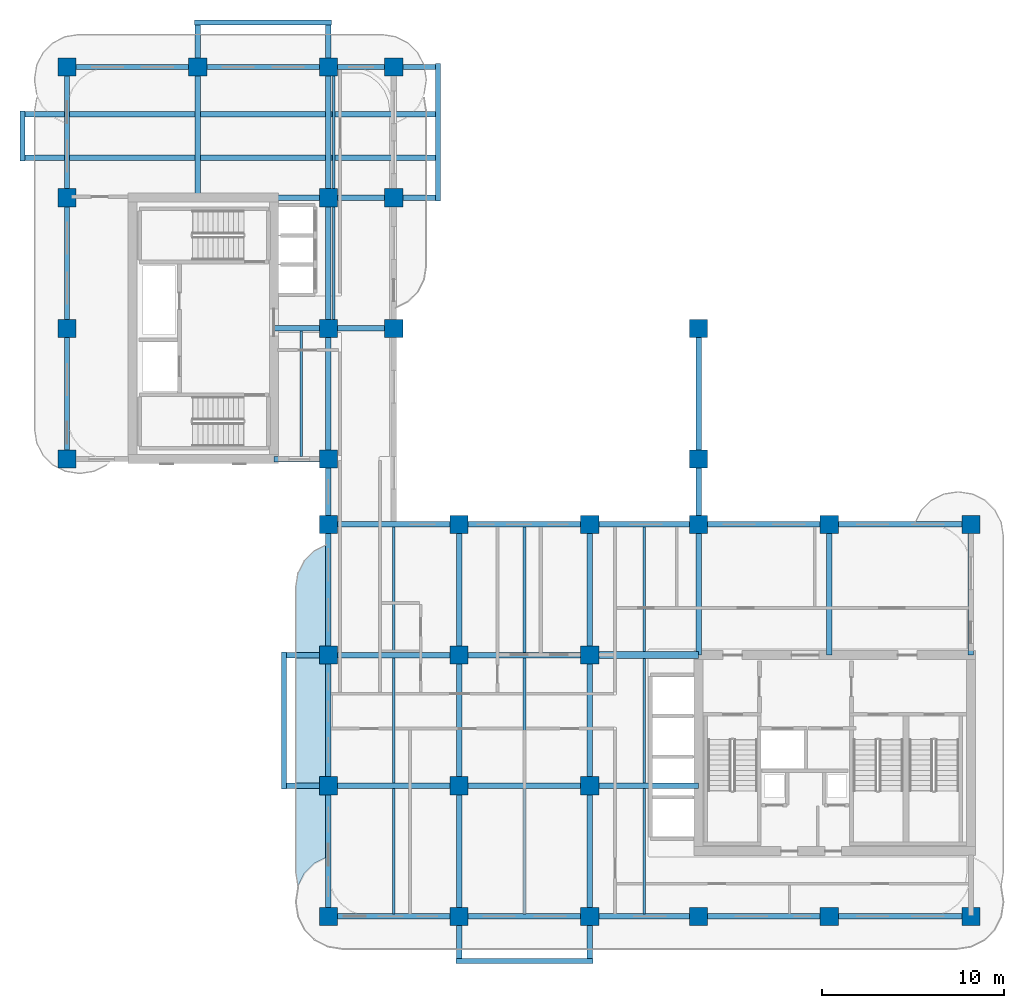
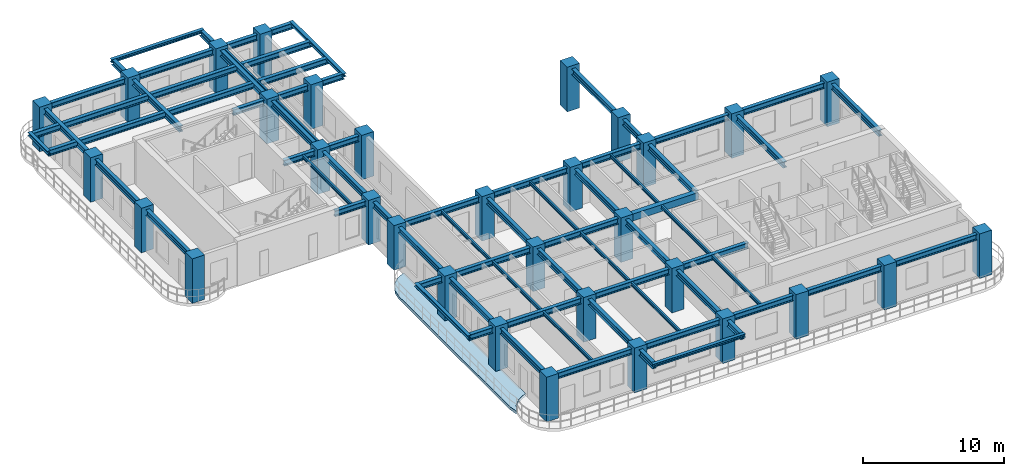
# One storey, part 1 of 13: 62 beams, 32 columns, 1 slab.
"""IFC4 building model written with IfcOpenShell, lengths in metres."""

from ifc_helpers import new_model, si_unit, derived_unit, direction, frame, origin, origin_2d, place, context, subcontext, project, spatial, polyline, rectangle, i_section, outline, extrude, source, transform, mapped, material, layer, layer_set, material_profile, profile_set, type_object, type_shapes, element, save


model = new_model("IFC4")

# Units and contexts
model_context = context("Model", 3, precision=1e-05, world=origin(), true_north=direction((0.0, 1.0)))
body_context = subcontext(model_context, "Body", "Model", "MODEL_VIEW")
ifc_project = project(units=[si_unit("LENGTHUNIT", "METRE"), si_unit("AREAUNIT", "SQUARE_METRE"), si_unit("VOLUMEUNIT", "CUBIC_METRE"), si_unit("PLANEANGLEUNIT", "RADIAN"), si_unit("MASSUNIT", "GRAM", prefix="KILO"), si_unit("THERMODYNAMICTEMPERATUREUNIT", "KELVIN"), si_unit("POWERUNIT", "WATT"), derived_unit("THERMALTRANSMITTANCEUNIT", [(si_unit("POWERUNIT", "WATT"), 1), (si_unit("AREAUNIT", "SQUARE_METRE"), -1), (si_unit("THERMODYNAMICTEMPERATUREUNIT", "KELVIN"), -1)])], contexts=[model_context])

# Site, building, storey
site_placement = place(None, origin())
site = spatial("IfcSite", under=ifc_project, at=site_placement, CompositionType="ELEMENT")
building_placement = place(site_placement, origin())
building = spatial("IfcBuilding", under=site, at=building_placement, Name="Zahravan Archway Hotel and Residences", CompositionType="ELEMENT")
storey_placement = place(building_placement, frame((0.0, 0.0, 181.10009765625)))
storey = spatial("IfcBuildingStorey", under=building, at=storey_placement, Name="L45", CompositionType="ELEMENT", Elevation=181.10009765625)

# Columns
ifc_material_1 = material(Name="Concrete C60/75", Category="concrete")
ifc_material_profile_1 = material_profile(ifc_material_1, rectangle(XDim=1.0, YDim=1.0, at=origin_2d()), Name="RC-COL-1000x1000", Category="concrete")
ifc_profile_set_1 = profile_set([ifc_material_profile_1], Name="Concrete C60/75")
column_type = type_object("IfcColumnType", Name="COL-RC-1000", PredefinedType="COLUMN", material=ifc_profile_set_1)
shared_shape_1 = source(origin(), body_context, "Body", "SweptSolid", [
    extrude(rectangle(XDim=1.0, YDim=1.0, at=origin_2d()), origin(), (0.0, 0.0, 1.0), 3.849853515625),
])
for number, where, z_axis, x_axis, name in (
    (1, (0.0, 25.199951171875, 0.0), (0.0, 0.0, 1.0), (1.0, 0.0, 0.0), "L45 Column 1-E"),
    (2, (0.0, 32.39990234375, 0.0), (0.0, 0.0, 1.0), (1.0, 0.0, 0.0), "L45 Column 1-F"),
    (3, (0.0, 39.60009765625, 0.0), (0.0, 0.0, 1.0), (1.0, 0.0, 0.0), "L45 Column 1-G"),
    (4, (0.0, 46.800048828125, 0.0), (0.0, 0.0, 1.0), (1.0, 0.0, 0.0), "L45 Column 1-H"),
    (5, (7.199951171875, 46.800048828125, 0.0), (0.0, 0.0, 1.0), (1.0, 0.0, 0.0), "L45 Column 2-H"),
    (6, (14.39990234375, 0.0, 0.0), (0.0, 0.0, 1.0), (1.0, 0.0, 0.0), "L45 Column 3-A"),
    (7, (14.39990234375, 7.199951171875, 0.0), (0.0, 0.0, 1.0), (1.0, 0.0, 0.0), "L45 Column 3-B"),
    (8, (14.39990234375, 14.39990234375, 0.0), (0.0, 0.0, 1.0), (1.0, 0.0, 0.0), "L45 Column 3-C"),
    (9, (14.39990234375, 21.60009765625, 0.0), (0.0, 0.0, 1.0), (1.0, 0.0, 0.0), "L45 Column 3-D"),
    (10, (14.39990234375, 25.199951171875, 0.0), (0.0, 0.0, 1.0), (1.0, 0.0, 0.0), "L45 Column 3-E"),
    (11, (14.39990234375, 32.39990234375, 0.0), (0.0, 0.0, 1.0), (1.0, 0.0, 0.0), "L45 Column 3-F"),
    (12, (14.39990234375, 39.60009765625, 0.0), (0.0, 0.0, 1.0), (1.0, 0.0, 0.0), "L45 Column 3-G"),
    (13, (14.39990234375, 46.800048828125, 0.0), (0.0, 0.0, 1.0), (1.0, 0.0, 0.0), "L45 Column 3-H"),
    (14, (21.60009765625, 0.0, 0.0), (0.0, 0.0, 1.0), (1.0, 0.0, 0.0), "L45 Column 4-A"),
    (15, (21.60009765625, 7.199951171875, 0.0), (0.0, 0.0, 1.0), (1.0, 0.0, 0.0), "L45 Column 4-B"),
    (16, (21.60009765625, 14.39990234375, 0.0), (0.0, 0.0, 1.0), (1.0, 0.0, 0.0), "L45 Column 4-C"),
    (17, (21.60009765625, 21.60009765625, 0.0), (0.0, 0.0, 1.0), (1.0, 0.0, 0.0), "L45 Column 4-D"),
    (18, (28.800048828125, 0.0, 0.0), (0.0, 0.0, 1.0), (1.0, 0.0, 0.0), "L45 Column 5-A"),
    (19, (28.800048828125, 7.199951171875, 0.0), (0.0, 0.0, 1.0), (1.0, 0.0, 0.0), "L45 Column 5-B"),
    (20, (28.800048828125, 14.39990234375, 0.0), (0.0, 0.0, 1.0), (1.0, 0.0, 0.0), "L45 Column 5-C"),
    (21, (28.800048828125, 21.60009765625, 0.0), (0.0, 0.0, 1.0), (1.0, 0.0, 0.0), "L45 Column 5-D"),
    (22, (34.800048828125, 0.0, 0.0), (0.0, 0.0, 1.0), (1.0, 0.0, 0.0), "L45 Column 6-A"),
    (23, (34.800048828125, 21.60009765625, 0.0), (0.0, 0.0, 1.0), (1.0, 0.0, 0.0), "L45 Column 6-D"),
    (24, (42.0, 0.0, 0.0), (0.0, 0.0, 1.0), (1.0, 0.0, 0.0), "L45 Column 7-A"),
    (25, (42.0, 21.60009765625, 0.0), (0.0, 0.0, 1.0), (1.0, 0.0, 0.0), "L45 Column 7-D"),
    (26, (49.800048828125, 0.0, 0.0), (0.0, 0.0, 1.0), (1.0, 0.0, 0.0), "L45 Column 8-A"),
    (27, (49.800048828125, 21.60009765625, 0.0), (0.0, 0.0, 1.0), (1.0, 0.0, 0.0), "L45 Column 8-D"),
    (28, (18.0, 32.39990234375, 0.0), (0.0, 0.0, 1.0), (1.0, 0.0, 0.0), "L45 Column 3B-F"),
    (29, (18.0, 39.60009765625, 0.0), (0.0, 0.0, 1.0), (1.0, 0.0, 0.0), "L45 Column 3B-G"),
    (30, (18.0, 46.800048828125, 0.0), (0.0, 0.0, 1.0), (1.0, 0.0, 0.0), "L45 Column 3B-H"),
    (31, (34.800048828125, 25.199951171875, 0.0), (0.0, 0.0, 1.0), (1.0, 0.0, 0.0), "L45 Column 6-E"),
    (32, (34.800048828125, 32.39990234375, 0.0), (0.0, 0.0, 1.0), (1.0, 0.0, 0.0), "L45 Column 6-F"),
):
    element("IfcColumn", number, at=place(storey_placement, frame(where, z_axis=z_axis, x_axis=x_axis)), inside=storey, type_object=column_type, Name=name, PredefinedType="COLUMN", context=body_context, shape_type="MappedRepresentation", body=[
        mapped(shared_shape_1, transform((0.0, 0.0, 0.0), scale=1.0)),
    ])

# Beams
ifc_material_2 = material(Name="Structural Steel S355JR", Category="steel")
ifc_material_profile_2 = material_profile(ifc_material_2, i_section(OverallWidth=0.280029296875, OverallDepth=0.280029296875, WebThickness=0.010498046875, FlangeThickness=0.01806640625, FilletRadius=0.02392578125, at=origin_2d()), Name="HEB 280", Category="steel")
ifc_profile_set_2 = profile_set([ifc_material_profile_2], Name="Structural Steel S355JR")
beam_type_1 = type_object("IfcBeamType", Name="BM-SPN-HEB280", PredefinedType="SPANDREL", material=ifc_profile_set_2)
shared_shape_2 = source(origin(), body_context, "Body", "SweptSolid", [
    extrude(i_section(OverallWidth=0.280029296875, OverallDepth=0.280029296875, WebThickness=0.010498046875, FlangeThickness=0.01806640625, FilletRadius=0.02392578125, at=origin_2d()), origin(), (0.0, 0.0, 1.0), 7.56005859375),
])
type_shapes(beam_type_1, [shared_shape_2])
for number, where, z_axis, x_axis, name in (
    (33, (11.949951171875, 7.02001953125, 3.4599609375), (0.0, 1.0, 0.0), (-1.0, 0.0, 0.0), "L46 WA Balcony Edge Spandrel"),
    (34, (20.449951171875, 39.419921875, 3.4599609375), (0.0, 1.0, 0.0), (-1.0, 0.0, 0.0), "L46 EB Balcony Edge Spandrel"),
    (35, (21.419921875, -2.449951171875, 3.4599609375), (1.0, 0.0, 0.0), (0.0, 1.0, 0.0), "L46 SA Balcony Edge Spandrel"),
    (36, (7.02001953125, 49.25, 3.4599609375), (1.0, 0.0, 0.0), (0.0, 1.0, 0.0), "L46 NB Balcony Edge Spandrel"),
):
    element("IfcBeam", number, at=place(storey_placement, frame(where, z_axis=z_axis, x_axis=x_axis)), inside=storey, type_object=beam_type_1, Name=name, PredefinedType="SPANDREL", context=body_context, shape_type="MappedRepresentation", body=[
        mapped(shared_shape_2, transform((0.0, 0.0, 0.0), scale=1.0)),
    ])
shared_shape_3 = source(origin(), body_context, "Body", "SweptSolid", [
    extrude(i_section(OverallWidth=0.280029296875, OverallDepth=0.280029296875, WebThickness=0.010498046875, FlangeThickness=0.01806640625, FilletRadius=0.02392578125, at=origin_2d()), origin(), (0.0, 0.0, 1.0), 2.759765625),
])
beam_1_placement = place(storey_placement, frame((-2.449951171875, 41.6201171875, 3.4599609375), z_axis=(0.0, 1.0, 0.0), x_axis=(-1.0, 0.0, 0.0)))
element("IfcBeam", 37, at=beam_1_placement, inside=storey, type_object=beam_type_1, Name="L46 WB Balcony Edge Spandrel", PredefinedType="SPANDREL", context=body_context, shape_type="MappedRepresentation", body=[
    mapped(shared_shape_3, transform((0.0, 0.0, 0.0), scale=1.0)),
])
ifc_material_profile_3 = material_profile(ifc_material_1, rectangle(XDim=0.39990234375, YDim=0.60009765625, at=origin_2d()), Name="RC-LNT-400x600", Category="concrete")
ifc_profile_set_3 = profile_set([ifc_material_profile_3], Name="Concrete C60/75")
beam_type_2 = type_object("IfcBeamType", Name="LNT-RC-400x600", PredefinedType="LINTEL", material=ifc_profile_set_3)
shared_shape_4 = source(origin(), body_context, "Body", "SweptSolid", [
    extrude(rectangle(XDim=0.39990234375, YDim=0.60009765625, at=origin_2d()), origin(), (0.0, 0.0, 1.0), 6.0),
])
type_shapes(beam_type_2, [shared_shape_4])
beam_2_placement = place(storey_placement, frame((28.800048828125, 14.39990234375, 3.2998046875), z_axis=(1.0, 0.0, 0.0), x_axis=(0.0, 1.0, 0.0)))
element("IfcBeam", 38, at=beam_2_placement, inside=storey, type_object=beam_type_2, Name="L45 Core A Coupling Lintel Beam", PredefinedType="LINTEL", context=body_context, shape_type="MappedRepresentation", body=[
    mapped(shared_shape_4, transform((0.0, 0.0, 0.0), scale=1.0)),
])
ifc_material_profile_4 = material_profile(ifc_material_2, i_section(OverallWidth=0.300048828125, OverallDepth=0.5, WebThickness=0.014404296875, FlangeThickness=0.028076171875, FilletRadius=0.027099609375, at=origin_2d()), Name="HEB 500", Category="steel")
ifc_profile_set_4 = profile_set([ifc_material_profile_4], Name="Structural Steel S355JR")
beam_type_3 = type_object("IfcBeamType", Name="BM-PRI-HEB500", PredefinedType="BEAM", material=ifc_profile_set_4)
shared_shape_5 = source(origin(), body_context, "Body", "SweptSolid", [
    extrude(i_section(OverallWidth=0.300048828125, OverallDepth=0.5, WebThickness=0.014404296875, FlangeThickness=0.028076171875, FilletRadius=0.027099609375, at=origin_2d()), origin(), (0.0, 0.0, 1.0), 7.2001953125),
])
type_shapes(beam_type_3, [shared_shape_5])
for number, where, z_axis, x_axis, name in (
    (39, (14.39990234375, 0.0, 3.349853515625), (1.0, 0.0, 0.0), (0.0, 1.0, 0.0), "L45 Primary Girder EW-01"),
    (40, (14.39990234375, 21.60009765625, 3.349853515625), (1.0, 0.0, 0.0), (0.0, 1.0, 0.0), "L45 Primary Girder EW-11"),
    (41, (0.0, 32.39990234375, 3.349853515625), (0.0, 1.0, 0.0), (-1.0, 0.0, 0.0), "L45 Primary Girder NS-24"),
    (42, (14.39990234375, 14.39990234375, 3.349853515625), (0.0, 1.0, 0.0), (-1.0, 0.0, 0.0), "L45 Primary Girder NS-29"),
    (43, (14.39990234375, 32.39990234375, 3.349853515625), (0.0, 1.0, 0.0), (-1.0, 0.0, 0.0), "L45 Primary Girder NS-32"),
    (44, (21.60009765625, 14.39990234375, 3.349853515625), (0.0, 1.0, 0.0), (-1.0, 0.0, 0.0), "L45 Primary Girder NS-36"),
    (45, (28.800048828125, 14.39990234375, 3.349853515625), (0.0, 1.0, 0.0), (-1.0, 0.0, 0.0), "L45 Primary Girder NS-39"),
    (46, (34.800048828125, 14.39990234375, 3.349853515625), (0.0, 1.0, 0.0), (-1.0, 0.0, 0.0), "L45 Primary Girder NS-40"),
    (47, (42.0, 14.39990234375, 3.349853515625), (0.0, 1.0, 0.0), (-1.0, 0.0, 0.0), "L45 Primary Girder NS-43"),
    (48, (49.800048828125, 14.39990234375, 3.349853515625), (0.0, 1.0, 0.0), (-1.0, 0.0, 0.0), "L45 Primary Girder NS-44"),
):
    element("IfcBeam", number, at=place(storey_placement, frame(where, z_axis=z_axis, x_axis=x_axis)), inside=storey, type_object=beam_type_3, Name=name, PredefinedType="BEAM", context=body_context, shape_type="MappedRepresentation", body=[
        mapped(shared_shape_5, transform((0.0, 0.0, 0.0), scale=1.0)),
    ])
shared_shape_6 = source(origin(), body_context, "Body", "SweptSolid", [
    extrude(i_section(OverallWidth=0.300048828125, OverallDepth=0.5, WebThickness=0.014404296875, FlangeThickness=0.028076171875, FilletRadius=0.027099609375, at=origin_2d()), origin(), (0.0, 0.0, 1.0), 7.199951171875),
])
for number, where, z_axis, x_axis, name in (
    (49, (21.60009765625, 0.0, 3.349853515625), (1.0, 0.0, 0.0), (0.0, 1.0, 0.0), "L45 Primary Girder EW-02"),
    (50, (34.800048828125, 0.0, 3.349853515625), (1.0, 0.0, 0.0), (0.0, 1.0, 0.0), "L45 Primary Girder EW-04"),
    (51, (21.60009765625, 7.199951171875, 3.349853515625), (1.0, 0.0, 0.0), (0.0, 1.0, 0.0), "L45 Primary Girder EW-07"),
    (52, (21.60009765625, 14.39990234375, 3.349853515625), (1.0, 0.0, 0.0), (0.0, 1.0, 0.0), "L45 Primary Girder EW-10"),
    (53, (21.60009765625, 21.60009765625, 3.349853515625), (1.0, 0.0, 0.0), (0.0, 1.0, 0.0), "L45 Primary Girder EW-12"),
    (54, (34.800048828125, 21.60009765625, 3.349853515625), (1.0, 0.0, 0.0), (0.0, 1.0, 0.0), "L45 Primary Girder EW-14"),
    (55, (0.0, 46.800048828125, 3.349853515625), (1.0, 0.0, 0.0), (0.0, 1.0, 0.0), "L45 Primary Girder EW-19"),
    (56, (0.0, 25.199951171875, 3.349853515625), (0.0, 1.0, 0.0), (-1.0, 0.0, 0.0), "L45 Primary Girder NS-23"),
    (57, (0.0, 39.60009765625, 3.349853515625), (0.0, 1.0, 0.0), (-1.0, 0.0, 0.0), "L45 Primary Girder NS-25"),
    (58, (14.39990234375, 0.0, 3.349853515625), (0.0, 1.0, 0.0), (-1.0, 0.0, 0.0), "L45 Primary Girder NS-27"),
    (59, (14.39990234375, 7.199951171875, 3.349853515625), (0.0, 1.0, 0.0), (-1.0, 0.0, 0.0), "L45 Primary Girder NS-28"),
    (60, (14.39990234375, 25.199951171875, 3.349853515625), (0.0, 1.0, 0.0), (-1.0, 0.0, 0.0), "L45 Primary Girder NS-31"),
    (61, (21.60009765625, 7.199951171875, 3.349853515625), (0.0, 1.0, 0.0), (-1.0, 0.0, 0.0), "L45 Primary Girder NS-35"),
    (62, (28.800048828125, 7.199951171875, 3.349853515625), (0.0, 1.0, 0.0), (-1.0, 0.0, 0.0), "L45 Primary Girder NS-38"),
    (63, (34.800048828125, 25.199951171875, 3.349853515625), (0.0, 1.0, 0.0), (-1.0, 0.0, 0.0), "L45 Primary Girder NS-42"),
):
    element("IfcBeam", number, at=place(storey_placement, frame(where, z_axis=z_axis, x_axis=x_axis)), inside=storey, type_object=beam_type_3, Name=name, PredefinedType="BEAM", context=body_context, shape_type="MappedRepresentation", body=[
        mapped(shared_shape_6, transform((0.0, 0.0, 0.0), scale=1.0)),
    ])
shared_shape_7 = source(origin(), body_context, "Body", "SweptSolid", [
    extrude(i_section(OverallWidth=0.300048828125, OverallDepth=0.5, WebThickness=0.014404296875, FlangeThickness=0.028076171875, FilletRadius=0.027099609375, at=origin_2d()), origin(), (0.0, 0.0, 1.0), 6.0),
])
for number, where, z_axis, x_axis, name in (
    (64, (28.800048828125, 0.0, 3.349853515625), (1.0, 0.0, 0.0), (0.0, 1.0, 0.0), "L45 Primary Girder EW-03"),
    (65, (28.800048828125, 7.199951171875, 3.349853515625), (1.0, 0.0, 0.0), (0.0, 1.0, 0.0), "L45 Primary Girder EW-08"),
    (66, (28.800048828125, 21.60009765625, 3.349853515625), (1.0, 0.0, 0.0), (0.0, 1.0, 0.0), "L45 Primary Girder EW-13"),
):
    element("IfcBeam", number, at=place(storey_placement, frame(where, z_axis=z_axis, x_axis=x_axis)), inside=storey, type_object=beam_type_3, Name=name, PredefinedType="BEAM", context=body_context, shape_type="MappedRepresentation", body=[
        mapped(shared_shape_7, transform((0.0, 0.0, 0.0), scale=1.0)),
    ])
shared_shape_8 = source(origin(), body_context, "Body", "SweptSolid", [
    extrude(i_section(OverallWidth=0.300048828125, OverallDepth=0.5, WebThickness=0.014404296875, FlangeThickness=0.028076171875, FilletRadius=0.027099609375, at=origin_2d()), origin(), (0.0, 0.0, 1.0), 7.800048828125),
])
for number, where, z_axis, x_axis, name in (
    (67, (42.0, 0.0, 3.349853515625), (1.0, 0.0, 0.0), (0.0, 1.0, 0.0), "L45 Primary Girder EW-05"),
    (68, (42.0, 21.60009765625, 3.349853515625), (1.0, 0.0, 0.0), (0.0, 1.0, 0.0), "L45 Primary Girder EW-15"),
):
    element("IfcBeam", number, at=place(storey_placement, frame(where, z_axis=z_axis, x_axis=x_axis)), inside=storey, type_object=beam_type_3, Name=name, PredefinedType="BEAM", context=body_context, shape_type="MappedRepresentation", body=[
        mapped(shared_shape_8, transform((0.0, 0.0, 0.0), scale=1.0)),
    ])
shared_shape_9 = source(origin(), body_context, "Body", "SweptSolid", [
    extrude(i_section(OverallWidth=0.300048828125, OverallDepth=0.5, WebThickness=0.014404296875, FlangeThickness=0.028076171875, FilletRadius=0.027099609375, at=origin_2d()), origin(), (0.0, 0.0, 1.0), 9.650146484375),
])
for number, where, z_axis, x_axis, name in (
    (69, (11.949951171875, 7.199951171875, 3.349853515625), (1.0, 0.0, 0.0), (0.0, 1.0, 0.0), "L45 Primary Girder EW-06"),
    (70, (11.949951171875, 14.39990234375, 3.349853515625), (1.0, 0.0, 0.0), (0.0, 1.0, 0.0), "L45 Primary Girder EW-09"),
):
    element("IfcBeam", number, at=place(storey_placement, frame(where, z_axis=z_axis, x_axis=x_axis)), inside=storey, type_object=beam_type_3, Name=name, PredefinedType="BEAM", context=body_context, shape_type="MappedRepresentation", body=[
        mapped(shared_shape_9, transform((0.0, 0.0, 0.0), scale=1.0)),
    ])
shared_shape_10 = source(origin(), body_context, "Body", "SweptSolid", [
    extrude(i_section(OverallWidth=0.300048828125, OverallDepth=0.5, WebThickness=0.014404296875, FlangeThickness=0.028076171875, FilletRadius=0.027099609375, at=origin_2d()), origin(), (0.0, 0.0, 1.0), 3.0),
])
beam_3_placement = place(storey_placement, frame((11.39990234375, 25.199951171875, 3.349853515625), z_axis=(1.0, 0.0, 0.0), x_axis=(0.0, 1.0, 0.0)))
element("IfcBeam", 71, at=beam_3_placement, inside=storey, type_object=beam_type_3, Name="L45 Primary Girder EW-16", PredefinedType="BEAM", context=body_context, shape_type="MappedRepresentation", body=[
    mapped(shared_shape_10, transform((0.0, 0.0, 0.0), scale=1.0)),
])
shared_shape_11 = source(origin(), body_context, "Body", "SweptSolid", [
    extrude(i_section(OverallWidth=0.300048828125, OverallDepth=0.5, WebThickness=0.014404296875, FlangeThickness=0.028076171875, FilletRadius=0.027099609375, at=origin_2d()), origin(), (0.0, 0.0, 1.0), 6.60009765625),
])
beam_4_placement = place(storey_placement, frame((11.39990234375, 32.39990234375, 3.349853515625), z_axis=(1.0, 0.0, 0.0), x_axis=(0.0, 1.0, 0.0)))
element("IfcBeam", 72, at=beam_4_placement, inside=storey, type_object=beam_type_3, Name="L45 Primary Girder EW-17", PredefinedType="BEAM", context=body_context, shape_type="MappedRepresentation", body=[
    mapped(shared_shape_11, transform((0.0, 0.0, 0.0), scale=1.0)),
])
shared_shape_12 = source(origin(), body_context, "Body", "SweptSolid", [
    extrude(i_section(OverallWidth=0.300048828125, OverallDepth=0.5, WebThickness=0.014404296875, FlangeThickness=0.028076171875, FilletRadius=0.027099609375, at=origin_2d()), origin(), (0.0, 0.0, 1.0), 9.050048828125),
])
beam_5_placement = place(storey_placement, frame((11.39990234375, 39.60009765625, 3.349853515625), z_axis=(1.0, 0.0, 0.0), x_axis=(0.0, 1.0, 0.0)))
element("IfcBeam", 73, at=beam_5_placement, inside=storey, type_object=beam_type_3, Name="L45 Primary Girder EW-18", PredefinedType="BEAM", context=body_context, shape_type="MappedRepresentation", body=[
    mapped(shared_shape_12, transform((0.0, 0.0, 0.0), scale=1.0)),
])
shared_shape_13 = source(origin(), body_context, "Body", "SweptSolid", [
    extrude(i_section(OverallWidth=0.300048828125, OverallDepth=0.5, WebThickness=0.014404296875, FlangeThickness=0.028076171875, FilletRadius=0.027099609375, at=origin_2d()), origin(), (0.0, 0.0, 1.0), 13.25),
])
beam_6_placement = place(storey_placement, frame((7.199951171875, 46.800048828125, 3.349853515625), z_axis=(1.0, 0.0, 0.0), x_axis=(0.0, 1.0, 0.0)))
element("IfcBeam", 74, at=beam_6_placement, inside=storey, type_object=beam_type_3, Name="L45 Primary Girder EW-20", PredefinedType="BEAM", context=body_context, shape_type="MappedRepresentation", body=[
    mapped(shared_shape_13, transform((0.0, 0.0, 0.0), scale=1.0)),
])
shared_shape_14 = source(origin(), body_context, "Body", "SweptSolid", [
    extrude(i_section(OverallWidth=0.300048828125, OverallDepth=0.5, WebThickness=0.014404296875, FlangeThickness=0.028076171875, FilletRadius=0.027099609375, at=origin_2d()), origin(), (0.0, 0.0, 1.0), 22.89990234375),
])
for number, where, z_axis, x_axis, name in (
    (75, (-2.449951171875, 41.800048828125, 3.349853515625), (1.0, 0.0, 0.0), (0.0, 1.0, 0.0), "L45 Primary Girder EW-21"),
    (76, (-2.449951171875, 44.199951171875, 3.349853515625), (1.0, 0.0, 0.0), (0.0, 1.0, 0.0), "L45 Primary Girder EW-22"),
):
    element("IfcBeam", number, at=place(storey_placement, frame(where, z_axis=z_axis, x_axis=x_axis)), inside=storey, type_object=beam_type_3, Name=name, PredefinedType="BEAM", context=body_context, shape_type="MappedRepresentation", body=[
        mapped(shared_shape_14, transform((0.0, 0.0, 0.0), scale=1.0)),
    ])
shared_shape_15 = source(origin(), body_context, "Body", "SweptSolid", [
    extrude(i_section(OverallWidth=0.300048828125, OverallDepth=0.5, WebThickness=0.014404296875, FlangeThickness=0.028076171875, FilletRadius=0.027099609375, at=origin_2d()), origin(), (0.0, 0.0, 1.0), 9.64990234375),
])
for number, where, z_axis, x_axis, name in (
    (77, (7.199951171875, 39.60009765625, 3.349853515625), (0.0, 1.0, 0.0), (-1.0, 0.0, 0.0), "L45 Primary Girder NS-26"),
    (78, (14.39990234375, 39.60009765625, 3.349853515625), (0.0, 1.0, 0.0), (-1.0, 0.0, 0.0), "L45 Primary Girder NS-33"),
    (79, (21.60009765625, -2.449951171875, 3.349853515625), (0.0, 1.0, 0.0), (-1.0, 0.0, 0.0), "L45 Primary Girder NS-34"),
    (80, (28.800048828125, -2.449951171875, 3.349853515625), (0.0, 1.0, 0.0), (-1.0, 0.0, 0.0), "L45 Primary Girder NS-37"),
):
    element("IfcBeam", number, at=place(storey_placement, frame(where, z_axis=z_axis, x_axis=x_axis)), inside=storey, type_object=beam_type_3, Name=name, PredefinedType="BEAM", context=body_context, shape_type="MappedRepresentation", body=[
        mapped(shared_shape_15, transform((0.0, 0.0, 0.0), scale=1.0)),
    ])
shared_shape_16 = source(origin(), body_context, "Body", "SweptSolid", [
    extrude(i_section(OverallWidth=0.300048828125, OverallDepth=0.5, WebThickness=0.014404296875, FlangeThickness=0.028076171875, FilletRadius=0.027099609375, at=origin_2d()), origin(), (0.0, 0.0, 1.0), 3.599853515625),
])
for number, where, z_axis, x_axis, name in (
    (81, (14.39990234375, 21.60009765625, 3.349853515625), (0.0, 1.0, 0.0), (-1.0, 0.0, 0.0), "L45 Primary Girder NS-30"),
    (82, (34.800048828125, 21.60009765625, 3.349853515625), (0.0, 1.0, 0.0), (-1.0, 0.0, 0.0), "L45 Primary Girder NS-41"),
):
    element("IfcBeam", number, at=place(storey_placement, frame(where, z_axis=z_axis, x_axis=x_axis)), inside=storey, type_object=beam_type_3, Name=name, PredefinedType="BEAM", context=body_context, shape_type="MappedRepresentation", body=[
        mapped(shared_shape_16, transform((0.0, 0.0, 0.0), scale=1.0)),
    ])
ifc_material_profile_5 = material_profile(ifc_material_2, i_section(OverallWidth=0.14990234375, OverallDepth=0.300048828125, WebThickness=0.007080078125, FlangeThickness=0.0107421875, FilletRadius=0.014892578125, at=origin_2d()), Name="IPE 300", Category="steel")
ifc_profile_set_5 = profile_set([ifc_material_profile_5], Name="Structural Steel S355JR")
beam_type_4 = type_object("IfcBeamType", Name="BM-JST-IPE300", PredefinedType="JOIST", material=ifc_profile_set_5)
shared_shape_17 = source(origin(), body_context, "Body", "SweptSolid", [
    extrude(i_section(OverallWidth=0.14990234375, OverallDepth=0.300048828125, WebThickness=0.007080078125, FlangeThickness=0.0107421875, FilletRadius=0.014892578125, at=origin_2d()), origin(), (0.0, 0.0, 1.0), 6.904052734375),
])
type_shapes(beam_type_4, [shared_shape_17])
for number, where, z_axis, x_axis, name in (
    (83, (18.0, 0.14794921875, 3.449951171875), (0.0, 1.0, 0.0), (-1.0, 0.0, 0.0), "L45 Composite Floor Joist 01"),
    (84, (25.199951171875, 0.14794921875, 3.449951171875), (0.0, 1.0, 0.0), (-1.0, 0.0, 0.0), "L45 Composite Floor Joist 02"),
    (85, (31.800048828125, 0.14794921875, 3.449951171875), (0.0, 1.0, 0.0), (-1.0, 0.0, 0.0), "L45 Composite Floor Joist 03"),
    (86, (18.0, 7.347900390625, 3.449951171875), (0.0, 1.0, 0.0), (-1.0, 0.0, 0.0), "L45 Composite Floor Joist 04"),
    (87, (25.199951171875, 7.347900390625, 3.449951171875), (0.0, 1.0, 0.0), (-1.0, 0.0, 0.0), "L45 Composite Floor Joist 05"),
    (88, (12.89990234375, 25.347900390625, 3.449951171875), (0.0, 1.0, 0.0), (-1.0, 0.0, 0.0), "L45 Composite Floor Joist 10"),
    (89, (14.699951171875, 39.748046875, 3.449951171875), (0.0, 1.0, 0.0), (-1.0, 0.0, 0.0), "L45 Composite Floor Joist 12"),
):
    element("IfcBeam", number, at=place(storey_placement, frame(where, z_axis=z_axis, x_axis=x_axis)), inside=storey, type_object=beam_type_4, Name=name, PredefinedType="JOIST", context=body_context, shape_type="MappedRepresentation", body=[
        mapped(shared_shape_17, transform((0.0, 0.0, 0.0), scale=1.0)),
    ])
shared_shape_18 = source(origin(), body_context, "Body", "SweptSolid", [
    extrude(i_section(OverallWidth=0.14990234375, OverallDepth=0.300048828125, WebThickness=0.007080078125, FlangeThickness=0.0107421875, FilletRadius=0.014892578125, at=origin_2d()), origin(), (0.0, 0.0, 1.0), 6.85400390625),
])
for number, where, z_axis, x_axis, name in (
    (90, (31.800048828125, 7.347900390625, 3.449951171875), (0.0, 1.0, 0.0), (-1.0, 0.0, 0.0), "L45 Composite Floor Joist 06"),
    (91, (31.800048828125, 14.597900390625, 3.449951171875), (0.0, 1.0, 0.0), (-1.0, 0.0, 0.0), "L45 Composite Floor Joist 07"),
):
    element("IfcBeam", number, at=place(storey_placement, frame(where, z_axis=z_axis, x_axis=x_axis)), inside=storey, type_object=beam_type_4, Name=name, PredefinedType="JOIST", context=body_context, shape_type="MappedRepresentation", body=[
        mapped(shared_shape_18, transform((0.0, 0.0, 0.0), scale=1.0)),
    ])
shared_shape_19 = source(origin(), body_context, "Body", "SweptSolid", [
    extrude(i_section(OverallWidth=0.14990234375, OverallDepth=0.300048828125, WebThickness=0.007080078125, FlangeThickness=0.0107421875, FilletRadius=0.014892578125, at=origin_2d()), origin(), (0.0, 0.0, 1.0), 6.90380859375),
])
for number, where, z_axis, x_axis, name in (
    (92, (18.0, 14.548095703125, 3.449951171875), (0.0, 1.0, 0.0), (-1.0, 0.0, 0.0), "L45 Composite Floor Joist 08"),
    (93, (25.199951171875, 14.548095703125, 3.449951171875), (0.0, 1.0, 0.0), (-1.0, 0.0, 0.0), "L45 Composite Floor Joist 09"),
    (94, (14.699951171875, 32.548095703125, 3.449951171875), (0.0, 1.0, 0.0), (-1.0, 0.0, 0.0), "L45 Composite Floor Joist 11"),
):
    element("IfcBeam", number, at=place(storey_placement, frame(where, z_axis=z_axis, x_axis=x_axis)), inside=storey, type_object=beam_type_4, Name=name, PredefinedType="JOIST", context=body_context, shape_type="MappedRepresentation", body=[
        mapped(shared_shape_19, transform((0.0, 0.0, 0.0), scale=1.0)),
    ])

# Slab
ifc_material_3 = material(Name="Concrete C45/55", Category="concrete")
ifc_layer = layer(ifc_material_3, 0.25, Name="Concrete C45/55", Category="concrete")
ifc_layer_set = layer_set([ifc_layer], Name="Concrete C45/55")
slab_type = type_object("IfcSlabType", Name="SLB-BALC-250", PredefinedType="FLOOR", material=ifc_layer_set)
slab_placement = place(storey_placement, frame((0.0, 0.0, -0.25)))
element("IfcSlab", 95, at=slab_placement, inside=storey, type_object=slab_type, Name="L45 Wing A West Rounded Balcony Band", PredefinedType="FLOOR", context=body_context, shape_type="SweptSolid", body=[
    extrude(outline(polyline([(12.719970703125, 1.69287109375), (12.60009765625, 2.449951171875), (12.60009765625, 18.14990234375), (12.719970703125, 18.906982421875), (13.06787109375, 19.590087890625), (13.60986328125, 20.132080078125), (14.29296875, 20.47998046875), (14.3798828125, 20.493896484375), (14.3798828125, 3.298095703125), (14.37890625, 3.298095703125), (14.376953125, 3.2978515625), (14.35888671875, 3.294921875), (14.356689453125, 3.29443359375), (14.354736328125, 3.2939453125), (14.352783203125, 3.29296875), (13.64208984375, 2.930908203125), (13.64013671875, 2.9296875), (13.638427734375, 2.928466796875), (13.636962890625, 2.927001953125), (13.072998046875, 2.363037109375), (13.071533203125, 2.361572265625), (13.0703125, 2.35986328125), (13.069091796875, 2.35791015625), (12.72509765625, 1.6826171875), (12.719970703125, 1.69287109375)])), origin(), (0.0, 0.0, 1.0), 0.25),
])

save(model, "model.ifc")
